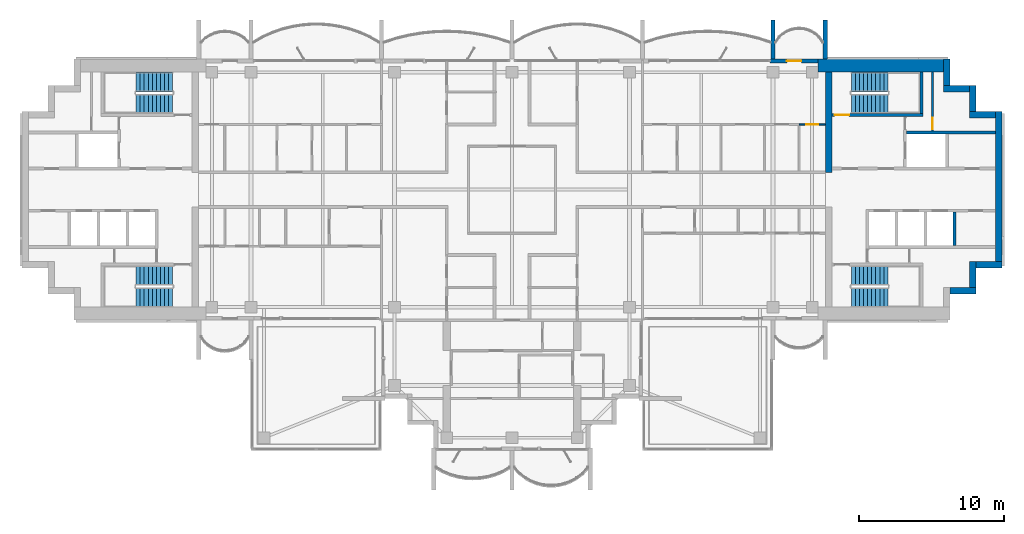
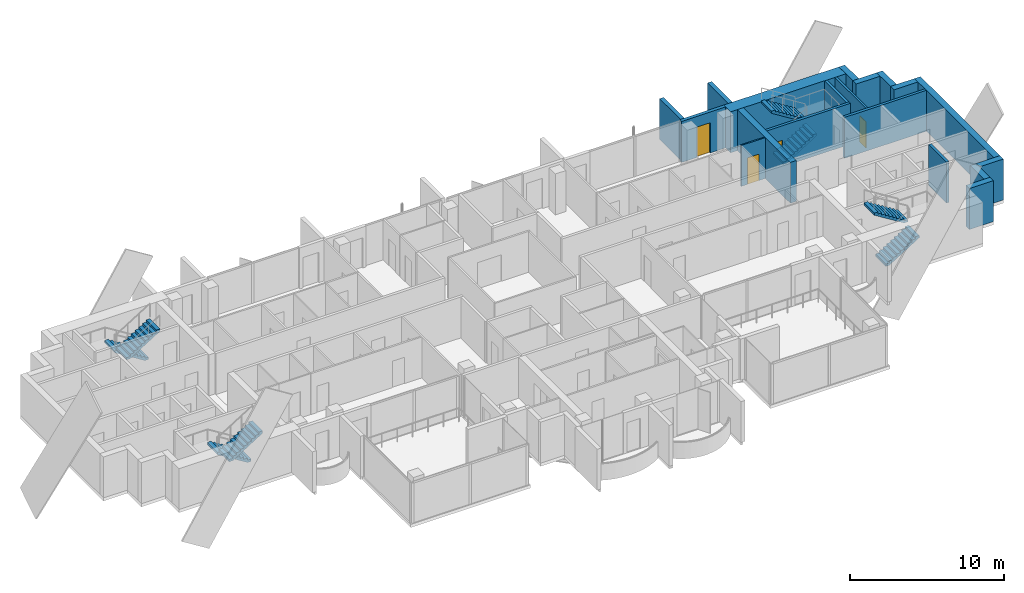
# One storey, part 12 of 16: 19 walls, 8 stair flights, 4 doors, 4 openings, 4 elements without a shape of their own.
"""IFC4 building model written with IfcOpenShell, lengths in metres."""

from ifc_helpers import new_model, si_unit, direction, frame, frame_2d, origin, place, context, subcontext, project, spatial, polyline, rectangle, outline, extrude, material, layer, layer_set, type_object, element, fill, aggregate, save


model = new_model("IFC4")

# Units and contexts
model_context = context("Model", 3, precision=1e-05, world=origin(), true_north=direction((0.0, 1.0)))
body_context = subcontext(model_context, "Body", "Model", "MODEL_VIEW")
ifc_project = project(units=[si_unit("LENGTHUNIT", "METRE"), si_unit("AREAUNIT", "SQUARE_METRE"), si_unit("VOLUMEUNIT", "CUBIC_METRE"), si_unit("PLANEANGLEUNIT", "RADIAN"), si_unit("MASSUNIT", "GRAM", prefix="KILO")], contexts=[model_context])

# Site, building, storey
site_placement = place(None, origin())
site = spatial("IfcSite", under=ifc_project, at=site_placement, CompositionType="ELEMENT")
building_placement = place(site_placement, origin())
building = spatial("IfcBuilding", under=site, at=building_placement, Name="Perihelion Cross Residences", CompositionType="ELEMENT")
storey_placement = place(building_placement, frame((0.0, 0.0, 239.5)))
storey = spatial("IfcBuildingStorey", under=building, at=storey_placement, Name="L60", CompositionType="ELEMENT", Elevation=239.5)

# Wall, opening, door
ifc_material_1 = material(Name="Concrete C30/37, bronze-clad", Category="concrete")
ifc_layer_1 = layer(ifc_material_1, 0.25)
ifc_layer_set_1 = layer_set([ifc_layer_1], Name="Bronze-clad pier wall 250")
wall_type_1 = type_object("IfcWallType", Name="Bronze-clad pier wall 250", PredefinedType="SOLIDWALL", material=ifc_layer_set_1)
wall_1_placement = place(storey_placement, frame((21.10009765625, 8.875, 0.0), z_axis=(0.0, 0.0, 1.0), x_axis=(-1.0, 0.0, 0.0)))
wall_1 = element("IfcWall", 1, at=wall_1_placement, inside=storey, type_object=wall_type_1, Name="Wall FW1 L60 east side north bay 1 pier", PredefinedType="SOLIDWALL", context=body_context, shape_type="SweptSolid", body=[
    extrude(rectangle(XDim=3.300048828125, YDim=0.25, at=frame_2d((1.64990234375, 0.0))), origin(), (0.0, 0.0, 1.0), 3.25),
])
opening_1_placement = place(wall_1_placement, frame((1.14990234375, 0.0, 0.0)))
opening_1 = element("IfcOpeningElement", 2, at=opening_1_placement, cuts=wall_1, Name="Opening L60.E01", PredefinedType="OPENING", context=body_context, shape_type="SweptSolid", body=[
    extrude(rectangle(XDim=1.0, YDim=2.39990234375, at=frame_2d((0.5, 1.199951171875))), frame((0.0, 0.135009765625, 0.0), z_axis=(0.0, -1.0, 0.0), x_axis=(1.0, 0.0, 0.0)), (0.0, 0.0, 1.0), 0.27001953125),
])
ifc_material_2 = material(Name="Bronze anodised aluminium, glazed", Category="aluminium")
door_type_1 = type_object("IfcDoorType", Name="Balcony door 1000 x 2400", OperationType="NOTDEFINED", PredefinedType="DOOR", material=ifc_material_2)
door_1_placement = place(opening_1_placement, origin())
door_1 = element("IfcDoor", 3, at=door_1_placement, inside=storey, type_object=door_type_1, Name="Door L60.E01 east side north bay 1", OperationType="SINGLE_SWING_LEFT", OverallHeight=2.39990234375, OverallWidth=1.0, PredefinedType="DOOR", context=body_context, shape_type="SweptSolid", body=[
    extrude(rectangle(XDim=1.0, YDim=2.39990234375, at=frame_2d((0.5, 1.199951171875))), frame((0.0, 0.02490234375, 0.0), z_axis=(0.0, -1.0, 0.0), x_axis=(1.0, 0.0, 0.0)), (0.0, 0.0, 1.0), 0.050048828125),
])
fill(opening_1, door_1)

# Walls
ifc_material_3 = material(Name="Concrete C60/75", Category="concrete")
ifc_layer_2 = layer(ifc_material_3, 0.449951171875)
ifc_layer_set_2 = layer_set([ifc_layer_2], Name="Core wall, inner 450")
wall_type_2 = type_object("IfcWallType", Name="Core wall, inner 450", PredefinedType="SHEAR", material=ifc_layer_set_2)
wall_2_placement = place(storey_placement, frame((21.824951171875, 1.199951171875, 0.0), z_axis=(0.0, 0.0, 1.0), x_axis=(0.0, 1.0, 0.0)))
element("IfcWall", 4, at=wall_2_placement, inside=storey, type_object=wall_type_2, Name="East core core wall, inner", PredefinedType="SHEAR", context=body_context, shape_type="SweptSolid", body=[
    extrude(rectangle(XDim=6.900146484375, YDim=0.449951171875, at=frame_2d((3.4501953125, 0.0))), origin(), (0.0, 0.0, 1.0), 3.25),
])
ifc_material_4 = material(Name="Concrete C60/75", Category="concrete")
ifc_layer_3 = layer(ifc_material_4, 0.449951171875)
ifc_layer_set_3 = layer_set([ifc_layer_3], Name="Core wall, outer 450")
wall_type_3 = type_object("IfcWallType", Name="Core wall, outer 450", PredefinedType="SHEAR", material=ifc_layer_set_3)
for number, where, z_axis, x_axis, name in (
    (5, (30.199951171875, -6.97509765625, 0.0), (0.0, 0.0, 1.0), (1.0, 0.0, 0.0), "East core core wall, outer"),
    (6, (31.77490234375, -6.75, 0.0), (0.0, 0.0, 1.0), (0.0, 1.0, 0.0), "East core core wall, outer"),
    (7, (32.0, -5.175048828125, 0.0), (0.0, 0.0, 1.0), (1.0, 0.0, 0.0), "East core core wall, outer"),
):
    element("IfcWall", number, at=place(storey_placement, frame(where, z_axis=z_axis, x_axis=x_axis)), inside=storey, type_object=wall_type_3, Name=name, PredefinedType="SHEAR", context=body_context, shape_type="SweptSolid", body=[
        extrude(rectangle(XDim=1.800048828125, YDim=0.449951171875, at=frame_2d((0.89990234375, 0.0))), origin(), (0.0, 0.0, 1.0), 3.25),
    ])
wall_3_placement = place(storey_placement, frame((33.574951171875, -4.949951171875, 0.0), z_axis=(0.0, 0.0, 1.0), x_axis=(0.0, 1.0, 0.0)))
element("IfcWall", 8, at=wall_3_placement, inside=storey, type_object=wall_type_3, Name="East core core wall, outer", PredefinedType="SHEAR", context=body_context, shape_type="SweptSolid", body=[
    extrude(rectangle(XDim=10.349853515625, YDim=0.449951171875, at=frame_2d((5.1748046875, 0.0))), origin(), (0.0, 0.0, 1.0), 3.25),
])
for number, where, z_axis, x_axis, name in (
    (9, (31.550048828125, 5.175048828125, 0.0), (0.0, 0.0, 1.0), (1.0, 0.0, 0.0), "East core core wall, outer"),
    (10, (31.77490234375, 5.39990234375, 0.0), (0.0, 0.0, 1.0), (0.0, 1.0, 0.0), "East core core wall, outer"),
    (11, (29.75, 6.97509765625, 0.0), (0.0, 0.0, 1.0), (1.0, 0.0, 0.0), "East core core wall, outer"),
    (12, (29.97509765625, 7.199951171875, 0.0), (0.0, 0.0, 1.0), (0.0, 1.0, 0.0), "East core core wall, outer"),
):
    element("IfcWall", number, at=place(storey_placement, frame(where, z_axis=z_axis, x_axis=x_axis)), inside=storey, type_object=wall_type_3, Name=name, PredefinedType="SHEAR", context=body_context, shape_type="SweptSolid", body=[
        extrude(rectangle(XDim=1.800048828125, YDim=0.449951171875, at=frame_2d((0.89990234375, 0.0))), origin(), (0.0, 0.0, 1.0), 3.25),
    ])
ifc_material_5 = material(Name="Concrete C60/75", Category="concrete")
ifc_layer_4 = layer(ifc_material_5, 0.89990234375)
ifc_layer_set_4 = layer_set([ifc_layer_4], Name="Core wall, outer 900")
wall_type_4 = type_object("IfcWallType", Name="Core wall, outer 900", PredefinedType="SHEAR", material=ifc_layer_set_4)
wall_4_placement = place(storey_placement, frame((21.10009765625, 8.550048828125, 0.0), z_axis=(0.0, 0.0, 1.0), x_axis=(1.0, 0.0, 0.0)))
element("IfcWall", 13, at=wall_4_placement, inside=storey, type_object=wall_type_4, Name="East core core wall, outer", PredefinedType="SHEAR", context=body_context, shape_type="SweptSolid", body=[
    extrude(rectangle(XDim=8.64990234375, YDim=0.89990234375, at=frame_2d((4.324951171875, 0.0))), origin(), (0.0, 0.0, 1.0), 3.25),
])
ifc_material_6 = material(Name="Precast concrete C50/60", Category="concrete")
ifc_layer_5 = layer(ifc_material_6, 0.300048828125)
ifc_layer_set_5 = layer_set([ifc_layer_5], Name="Precast concrete C50/60 blade wall 300")
wall_type_5 = type_object("IfcWallType", Name="Precast concrete C50/60 blade wall 300", PredefinedType="SOLIDWALL", material=ifc_layer_set_5)
for number, where, z_axis, x_axis, name in (
    (14, (18.0, 9.0, 0.0), (0.0, 0.0, 1.0), (0.0, 1.0, 0.0), "Wall BL1 L60 no. 11"),
    (15, (21.60009765625, 9.0, 0.0), (0.0, 0.0, 1.0), (0.0, 1.0, 0.0), "Wall BL1 L60 no. 13"),
):
    element("IfcWall", number, at=place(storey_placement, frame(where, z_axis=z_axis, x_axis=x_axis)), inside=storey, type_object=wall_type_5, Name=name, PredefinedType="SOLIDWALL", context=body_context, shape_type="SweptSolid", body=[
        extrude(rectangle(XDim=2.699951171875, YDim=0.300048828125, at=frame_2d((1.35009765625, 0.0))), origin(), (0.0, 0.0, 1.0), 3.25),
    ])

# Wall, opening, door
ifc_material_7 = material(Name="Fire-rated board on steel stud", Category="steel")
ifc_layer_6 = layer(ifc_material_7, 0.14990234375)
ifc_layer_set_6 = layer_set([ifc_layer_6], Name="Riser wall 150")
wall_type_6 = type_object("IfcWallType", Name="Riser wall 150", PredefinedType="PARTITIONING", material=ifc_layer_set_6)
wall_5_placement = place(storey_placement, frame((29.0, 4.050048828125, 0.0), z_axis=(0.0, 0.0, 1.0), x_axis=(0.0, 1.0, 0.0)))
wall_5 = element("IfcWall", 16, at=wall_5_placement, inside=storey, type_object=wall_type_6, Name="East core riser wall", PredefinedType="PARTITIONING", context=body_context, shape_type="SweptSolid", body=[
    extrude(rectangle(XDim=4.050048828125, YDim=0.14990234375, at=frame_2d((2.02490234375, 0.0))), origin(), (0.0, 0.0, 1.0), 3.25),
])
opening_2_placement = place(wall_5_placement, frame((0.10009765625, 0.0, 0.0)))
opening_2 = element("IfcOpeningElement", 17, at=opening_2_placement, cuts=wall_5, Name="Opening L60.C12", PredefinedType="OPENING", context=body_context, shape_type="SweptSolid", body=[
    extrude(rectangle(XDim=0.800048828125, YDim=2.10009765625, at=frame_2d((0.39990234375, 1.050048828125))), frame((0.0, 0.0849609375, 0.0), z_axis=(0.0, -1.0, 0.0), x_axis=(1.0, 0.0, 0.0)), (0.0, 0.0, 1.0), 0.169921875),
])
ifc_material_8 = material(Name="Steel, powder coated", Category="steel")
door_type_2 = type_object("IfcDoorType", Name="Riser door 800", OperationType="SINGLE_SWING_LEFT", PredefinedType="DOOR", material=ifc_material_8)
door_2_placement = place(opening_2_placement, origin())
door_2 = element("IfcDoor", 18, at=door_2_placement, inside=storey, type_object=door_type_2, Name="East core riser door", OperationType="SINGLE_SWING_LEFT", OverallHeight=2.10009765625, OverallWidth=0.800048828125, PredefinedType="DOOR", context=body_context, shape_type="SweptSolid", body=[
    extrude(rectangle(XDim=0.800048828125, YDim=2.10009765625, at=frame_2d((0.39990234375, 1.050048828125))), frame((0.0, 0.02490234375, 0.0), z_axis=(0.0, -1.0, 0.0), x_axis=(1.0, 0.0, 0.0)), (0.0, 0.0, 1.0), 0.050048828125),
])
fill(opening_2, door_2)

# Walls
ifc_material_9 = material(Name="Concrete C50/60", Category="concrete")
ifc_layer_7 = layer(ifc_material_9, 0.199951171875)
ifc_layer_set_7 = layer_set([ifc_layer_7], Name="Shaft wall 200")
wall_type_7 = type_object("IfcWallType", Name="Shaft wall 200", PredefinedType="SOLIDWALL", material=ifc_layer_set_7)
wall_6_placement = place(storey_placement, frame((27.199951171875, 3.949951171875, 0.0), z_axis=(0.0, 0.0, 1.0), x_axis=(1.0, 0.0, 0.0)))
element("IfcWall", 19, at=wall_6_placement, inside=storey, type_object=wall_type_7, Name="East core shaft wall", PredefinedType="SOLIDWALL", context=body_context, shape_type="SweptSolid", body=[
    extrude(rectangle(XDim=6.150146484375, YDim=0.199951171875, at=frame_2d((3.0751953125, 0.0))), origin(), (0.0, 0.0, 1.0), 3.25),
])
wall_7_placement = place(storey_placement, frame((30.5, -3.85009765625, 0.0), z_axis=(0.0, 0.0, 1.0), x_axis=(0.0, 1.0, 0.0)))
element("IfcWall", 20, at=wall_7_placement, inside=storey, type_object=wall_type_7, Name="East core shaft wall", PredefinedType="SOLIDWALL", context=body_context, shape_type="SweptSolid", body=[
    extrude(rectangle(XDim=2.300048828125, YDim=0.199951171875, at=frame_2d((1.14990234375, 0.0))), origin(), (0.0, 0.0, 1.0), 3.25),
])

# Wall, opening, door
ifc_material_10 = material(Name="Concrete C50/60", Category="concrete")
ifc_layer_8 = layer(ifc_material_10, 0.199951171875)
ifc_layer_set_8 = layer_set([ifc_layer_8], Name="Stair wall 200")
wall_type_8 = type_object("IfcWallType", Name="Stair wall 200", PredefinedType="SOLIDWALL", material=ifc_layer_set_8)
wall_8_placement = place(storey_placement, frame((22.050048828125, 5.14990234375, 0.0), z_axis=(0.0, 0.0, 1.0), x_axis=(1.0, 0.0, 0.0)))
wall_8 = element("IfcWall", 21, at=wall_8_placement, inside=storey, type_object=wall_type_8, Name="East core stair wall", PredefinedType="SOLIDWALL", context=body_context, shape_type="SweptSolid", body=[
    extrude(rectangle(XDim=6.300048828125, YDim=0.199951171875, at=frame_2d((3.14990234375, 0.0))), origin(), (0.0, 0.0, 1.0), 3.25),
])
opening_3_placement = place(wall_8_placement, frame((0.199951171875, 0.0, 0.0)))
opening_3 = element("IfcOpeningElement", 22, at=opening_3_placement, cuts=wall_8, Name="Opening L60.C06", PredefinedType="OPENING", context=body_context, shape_type="SweptSolid", body=[
    extrude(rectangle(XDim=1.0, YDim=2.10009765625, at=frame_2d((0.5, 1.050048828125))), frame((0.0, 0.10986328125, 0.0), z_axis=(0.0, -1.0, 0.0), x_axis=(1.0, 0.0, 0.0)), (0.0, 0.0, 1.0), 0.219970703125),
])
ifc_material_11 = material(Name="Steel, powder coated", Category="steel")
door_type_3 = type_object("IfcDoorType", Name="Stair door 1000", OperationType="SINGLE_SWING_LEFT", PredefinedType="DOOR", material=ifc_material_11)
door_3_placement = place(opening_3_placement, origin())
door_3 = element("IfcDoor", 23, at=door_3_placement, inside=storey, type_object=door_type_3, Name="East core stair door", OperationType="SINGLE_SWING_LEFT", OverallHeight=2.10009765625, OverallWidth=1.0, PredefinedType="DOOR", context=body_context, shape_type="SweptSolid", body=[
    extrude(rectangle(XDim=1.0, YDim=2.10009765625, at=frame_2d((0.5, 1.050048828125))), frame((0.0, 0.02490234375, 0.0), z_axis=(0.0, -1.0, 0.0), x_axis=(1.0, 0.0, 0.0)), (0.0, 0.0, 1.0), 0.050048828125),
])
fill(opening_3, door_3)

# Wall
wall_9_placement = place(storey_placement, frame((28.25, 5.25, 0.0), z_axis=(0.0, 0.0, 1.0), x_axis=(0.0, 1.0, 0.0)))
element("IfcWall", 24, at=wall_9_placement, inside=storey, type_object=wall_type_8, Name="East core stair wall", PredefinedType="SOLIDWALL", context=body_context, shape_type="SweptSolid", body=[
    extrude(rectangle(XDim=2.85009765625, YDim=0.199951171875, at=frame_2d((1.425048828125, 0.0))), origin(), (0.0, 0.0, 1.0), 3.25),
])

# Wall, opening, door
ifc_material_12 = material(Name="Plasterboard partition")
ifc_layer_9 = layer(ifc_material_12, 0.10009765625)
ifc_layer_set_9 = layer_set([ifc_layer_9], Name="Wet room wall 100")
wall_type_9 = type_object("IfcWallType", Name="Wet room wall 100", PredefinedType="PARTITIONING", material=ifc_layer_set_9)
wall_10_placement = place(storey_placement, frame((19.800048828125, 4.5, 0.0), z_axis=(0.0, 0.0, 1.0), x_axis=(1.0, 0.0, 0.0)))
wall_10 = element("IfcWall", 25, at=wall_10_placement, inside=storey, type_object=wall_type_9, Name="Partition L60 W030", PredefinedType="PARTITIONING", context=body_context, shape_type="SweptSolid", body=[
    extrude(rectangle(XDim=1.800048828125, YDim=0.10009765625, at=frame_2d((0.89990234375, 0.0))), origin(), (0.0, 0.0, 1.0), 3.25),
])
opening_4_placement = place(wall_10_placement, frame((0.47509765625, 0.0, 0.0)))
opening_4 = element("IfcOpeningElement", 26, at=opening_4_placement, cuts=wall_10, Name="Opening L60.A05", PredefinedType="OPENING", context=body_context, shape_type="SweptSolid", body=[
    extrude(rectangle(XDim=0.85009765625, YDim=2.10009765625, at=frame_2d((0.425048828125, 1.050048828125))), frame((0.0, 0.06005859375, 0.0), z_axis=(0.0, -1.0, 0.0), x_axis=(1.0, 0.0, 0.0)), (0.0, 0.0, 1.0), 0.1201171875),
])
ifc_material_13 = material(Name="Timber door leaf", Category="wood")
door_type_4 = type_object("IfcDoorType", Name="Interior bathroom door 850 x 2100", OperationType="SINGLE_SWING_LEFT", PredefinedType="DOOR", material=ifc_material_13)
door_4_placement = place(opening_4_placement, origin())
door_4 = element("IfcDoor", 27, at=door_4_placement, inside=storey, type_object=door_type_4, Name="Door L60.A05", OperationType="SINGLE_SWING_LEFT", OverallHeight=2.10009765625, OverallWidth=0.85009765625, PredefinedType="DOOR", context=body_context, shape_type="SweptSolid", body=[
    extrude(rectangle(XDim=0.85009765625, YDim=2.10009765625, at=frame_2d((0.425048828125, 1.050048828125))), frame((0.0, 0.02490234375, 0.0), z_axis=(0.0, -1.0, 0.0), x_axis=(1.0, 0.0, 0.0)), (0.0, 0.0, 1.0), 0.050048828125),
])
fill(opening_4, door_4)

# Stair, stair flights
ifc_material_14 = material(Name="Concrete C40/50", Category="concrete")
stair_type = type_object("IfcStairType", Name="Exit stair, half-turn", PredefinedType="HALF_TURN_STAIR", material=ifc_material_14)
stair_1_placement = place(storey_placement, origin())
stair_1 = element("IfcStair", 28, at=stair_1_placement, inside=storey, type_object=stair_type, Name="L60 East core exit stair 1", PredefinedType="HALF_TURN_STAIR")
ifc_material_15 = material(Name="Concrete C40/50", Category="concrete")
stair_flight_type = type_object("IfcStairFlightType", Name="Exit stair flight", PredefinedType="STRAIGHT", material=ifc_material_15)
stair_flight_1_placement = place(storey_placement, frame((23.39990234375, 5.925048828125, 0.0), z_axis=(0.0, 0.0, 1.0), x_axis=(1.0, 0.0, 0.0)))
stair_flight_1 = element("IfcStairFlight", 29, at=stair_flight_1_placement, type_object=stair_flight_type, Name="ST-E1 flight 1", NumberOfRisers=10, NumberOfTreads=9, PredefinedType="STRAIGHT", RiserHeight=0.175, TreadLength=0.28, context=body_context, shape_type="SweptSolid", body=[
    extrude(outline(polyline([(0.0, 0.0), (0.0, 0.175048828125), (0.280029296875, 0.175048828125), (0.280029296875, 0.35009765625), (0.56005859375, 0.35009765625), (0.56005859375, 0.52490234375), (0.840087890625, 0.52490234375), (0.840087890625, 0.699951171875), (1.1201171875, 0.699951171875), (1.1201171875, 0.875), (1.39990234375, 0.875), (1.39990234375, 1.050048828125), (1.679931640625, 1.050048828125), (1.679931640625, 1.22509765625), (1.9599609375, 1.22509765625), (1.9599609375, 1.39990234375), (2.239990234375, 1.39990234375), (2.239990234375, 1.574951171875), (2.52001953125, 1.574951171875), (2.52001953125, 1.75), (2.52001953125, 1.398193359375), (0.28271484375, 0.0), (0.0, 0.0)])), frame((0.0, 0.675048828125, 0.0), z_axis=(0.0, -1.0, 0.0), x_axis=(1.0, 0.0, 0.0)), (0.0, 0.0, 1.0), 1.35009765625),
])
stair_flight_2_placement = place(storey_placement, frame((25.919921875, 7.425048828125, 1.75), z_axis=(0.0, 0.0, 1.0), x_axis=(-1.0, 0.0, 0.0)))
stair_flight_2 = element("IfcStairFlight", 30, at=stair_flight_2_placement, type_object=stair_flight_type, Name="ST-E1 flight 2", NumberOfRisers=10, NumberOfTreads=9, PredefinedType="STRAIGHT", RiserHeight=0.175, TreadLength=0.28, context=body_context, shape_type="SweptSolid", body=[
    extrude(outline(polyline([(0.0, 0.0), (0.0, 0.175048828125), (0.280029296875, 0.175048828125), (0.280029296875, 0.35009765625), (0.56005859375, 0.35009765625), (0.56005859375, 0.52490234375), (0.840087890625, 0.52490234375), (0.840087890625, 0.699951171875), (1.1201171875, 0.699951171875), (1.1201171875, 0.875), (1.39990234375, 0.875), (1.39990234375, 1.050048828125), (1.679931640625, 1.050048828125), (1.679931640625, 1.22509765625), (1.9599609375, 1.22509765625), (1.9599609375, 1.39990234375), (2.239990234375, 1.39990234375), (2.239990234375, 1.574951171875), (2.52001953125, 1.574951171875), (2.52001953125, 1.75), (2.52001953125, 1.398193359375), (0.28271484375, 0.0), (0.0, 0.0)])), frame((0.0, 0.675048828125, 0.0), z_axis=(0.0, -1.0, 0.0), x_axis=(1.0, 0.0, 0.0)), (0.0, 0.0, 1.0), 1.35009765625),
])
aggregate(stair_1, [stair_flight_1, stair_flight_2])

stair_2_placement = place(storey_placement, origin())
stair_2 = element("IfcStair", 31, at=stair_2_placement, inside=storey, type_object=stair_type, Name="L60 East core exit stair 2", PredefinedType="HALF_TURN_STAIR")
stair_flight_3_placement = place(storey_placement, frame((23.39990234375, -7.425048828125, 0.0), z_axis=(0.0, 0.0, 1.0), x_axis=(1.0, 0.0, 0.0)))
stair_flight_3 = element("IfcStairFlight", 32, at=stair_flight_3_placement, type_object=stair_flight_type, Name="ST-E2 flight 1", NumberOfRisers=10, NumberOfTreads=9, PredefinedType="STRAIGHT", RiserHeight=0.175, TreadLength=0.28, context=body_context, shape_type="SweptSolid", body=[
    extrude(outline(polyline([(0.0, 0.0), (0.0, 0.175048828125), (0.280029296875, 0.175048828125), (0.280029296875, 0.35009765625), (0.56005859375, 0.35009765625), (0.56005859375, 0.52490234375), (0.840087890625, 0.52490234375), (0.840087890625, 0.699951171875), (1.1201171875, 0.699951171875), (1.1201171875, 0.875), (1.39990234375, 0.875), (1.39990234375, 1.050048828125), (1.679931640625, 1.050048828125), (1.679931640625, 1.22509765625), (1.9599609375, 1.22509765625), (1.9599609375, 1.39990234375), (2.239990234375, 1.39990234375), (2.239990234375, 1.574951171875), (2.52001953125, 1.574951171875), (2.52001953125, 1.75), (2.52001953125, 1.398193359375), (0.28271484375, 0.0), (0.0, 0.0)])), frame((0.0, 0.675048828125, 0.0), z_axis=(0.0, -1.0, 0.0), x_axis=(1.0, 0.0, 0.0)), (0.0, 0.0, 1.0), 1.35009765625),
])
stair_flight_4_placement = place(storey_placement, frame((25.919921875, -5.925048828125, 1.75), z_axis=(0.0, 0.0, 1.0), x_axis=(-1.0, 0.0, 0.0)))
stair_flight_4 = element("IfcStairFlight", 33, at=stair_flight_4_placement, type_object=stair_flight_type, Name="ST-E2 flight 2", NumberOfRisers=10, NumberOfTreads=9, PredefinedType="STRAIGHT", RiserHeight=0.175, TreadLength=0.28, context=body_context, shape_type="SweptSolid", body=[
    extrude(outline(polyline([(0.0, 0.0), (0.0, 0.175048828125), (0.280029296875, 0.175048828125), (0.280029296875, 0.35009765625), (0.56005859375, 0.35009765625), (0.56005859375, 0.52490234375), (0.840087890625, 0.52490234375), (0.840087890625, 0.699951171875), (1.1201171875, 0.699951171875), (1.1201171875, 0.875), (1.39990234375, 0.875), (1.39990234375, 1.050048828125), (1.679931640625, 1.050048828125), (1.679931640625, 1.22509765625), (1.9599609375, 1.22509765625), (1.9599609375, 1.39990234375), (2.239990234375, 1.39990234375), (2.239990234375, 1.574951171875), (2.52001953125, 1.574951171875), (2.52001953125, 1.75), (2.52001953125, 1.398193359375), (0.28271484375, 0.0), (0.0, 0.0)])), frame((0.0, 0.675048828125, 0.0), z_axis=(0.0, -1.0, 0.0), x_axis=(1.0, 0.0, 0.0)), (0.0, 0.0, 1.0), 1.35009765625),
])
aggregate(stair_2, [stair_flight_3, stair_flight_4])

stair_3_placement = place(storey_placement, origin())
stair_3 = element("IfcStair", 34, at=stair_3_placement, inside=storey, type_object=stair_type, Name="L60 West core exit stair 1", PredefinedType="HALF_TURN_STAIR")
stair_flight_5_placement = place(storey_placement, frame((-23.39990234375, 7.425048828125, 0.0), z_axis=(0.0, 0.0, 1.0), x_axis=(-1.0, 0.0, 0.0)))
stair_flight_5 = element("IfcStairFlight", 35, at=stair_flight_5_placement, type_object=stair_flight_type, Name="ST-W1 flight 1", NumberOfRisers=10, NumberOfTreads=9, PredefinedType="STRAIGHT", RiserHeight=0.175, TreadLength=0.28, context=body_context, shape_type="SweptSolid", body=[
    extrude(outline(polyline([(0.0, 0.0), (0.0, 0.175048828125), (0.280029296875, 0.175048828125), (0.280029296875, 0.35009765625), (0.56005859375, 0.35009765625), (0.56005859375, 0.52490234375), (0.840087890625, 0.52490234375), (0.840087890625, 0.699951171875), (1.1201171875, 0.699951171875), (1.1201171875, 0.875), (1.39990234375, 0.875), (1.39990234375, 1.050048828125), (1.679931640625, 1.050048828125), (1.679931640625, 1.22509765625), (1.9599609375, 1.22509765625), (1.9599609375, 1.39990234375), (2.239990234375, 1.39990234375), (2.239990234375, 1.574951171875), (2.52001953125, 1.574951171875), (2.52001953125, 1.75), (2.52001953125, 1.398193359375), (0.28271484375, 0.0), (0.0, 0.0)])), frame((0.0, 0.675048828125, 0.0), z_axis=(0.0, -1.0, 0.0), x_axis=(1.0, 0.0, 0.0)), (0.0, 0.0, 1.0), 1.35009765625),
])
stair_flight_6_placement = place(storey_placement, frame((-25.919921875, 5.925048828125, 1.75), z_axis=(0.0, 0.0, 1.0), x_axis=(1.0, 0.0, 0.0)))
stair_flight_6 = element("IfcStairFlight", 36, at=stair_flight_6_placement, type_object=stair_flight_type, Name="ST-W1 flight 2", NumberOfRisers=10, NumberOfTreads=9, PredefinedType="STRAIGHT", RiserHeight=0.175, TreadLength=0.28, context=body_context, shape_type="SweptSolid", body=[
    extrude(outline(polyline([(0.0, 0.0), (0.0, 0.175048828125), (0.280029296875, 0.175048828125), (0.280029296875, 0.35009765625), (0.56005859375, 0.35009765625), (0.56005859375, 0.52490234375), (0.840087890625, 0.52490234375), (0.840087890625, 0.699951171875), (1.1201171875, 0.699951171875), (1.1201171875, 0.875), (1.39990234375, 0.875), (1.39990234375, 1.050048828125), (1.679931640625, 1.050048828125), (1.679931640625, 1.22509765625), (1.9599609375, 1.22509765625), (1.9599609375, 1.39990234375), (2.239990234375, 1.39990234375), (2.239990234375, 1.574951171875), (2.52001953125, 1.574951171875), (2.52001953125, 1.75), (2.52001953125, 1.398193359375), (0.28271484375, 0.0), (0.0, 0.0)])), frame((0.0, 0.675048828125, 0.0), z_axis=(0.0, -1.0, 0.0), x_axis=(1.0, 0.0, 0.0)), (0.0, 0.0, 1.0), 1.35009765625),
])
aggregate(stair_3, [stair_flight_5, stair_flight_6])

stair_4_placement = place(storey_placement, origin())
stair_4 = element("IfcStair", 37, at=stair_4_placement, inside=storey, type_object=stair_type, Name="L60 West core exit stair 2", PredefinedType="HALF_TURN_STAIR")
stair_flight_7_placement = place(storey_placement, frame((-23.39990234375, -5.925048828125, 0.0), z_axis=(0.0, 0.0, 1.0), x_axis=(-1.0, 0.0, 0.0)))
stair_flight_7 = element("IfcStairFlight", 38, at=stair_flight_7_placement, type_object=stair_flight_type, Name="ST-W2 flight 1", NumberOfRisers=10, NumberOfTreads=9, PredefinedType="STRAIGHT", RiserHeight=0.175, TreadLength=0.28, context=body_context, shape_type="SweptSolid", body=[
    extrude(outline(polyline([(0.0, 0.0), (0.0, 0.175048828125), (0.280029296875, 0.175048828125), (0.280029296875, 0.35009765625), (0.56005859375, 0.35009765625), (0.56005859375, 0.52490234375), (0.840087890625, 0.52490234375), (0.840087890625, 0.699951171875), (1.1201171875, 0.699951171875), (1.1201171875, 0.875), (1.39990234375, 0.875), (1.39990234375, 1.050048828125), (1.679931640625, 1.050048828125), (1.679931640625, 1.22509765625), (1.9599609375, 1.22509765625), (1.9599609375, 1.39990234375), (2.239990234375, 1.39990234375), (2.239990234375, 1.574951171875), (2.52001953125, 1.574951171875), (2.52001953125, 1.75), (2.52001953125, 1.398193359375), (0.28271484375, 0.0), (0.0, 0.0)])), frame((0.0, 0.675048828125, 0.0), z_axis=(0.0, -1.0, 0.0), x_axis=(1.0, 0.0, 0.0)), (0.0, 0.0, 1.0), 1.35009765625),
])
stair_flight_8_placement = place(storey_placement, frame((-25.919921875, -7.425048828125, 1.75), z_axis=(0.0, 0.0, 1.0), x_axis=(1.0, 0.0, 0.0)))
stair_flight_8 = element("IfcStairFlight", 39, at=stair_flight_8_placement, type_object=stair_flight_type, Name="ST-W2 flight 2", NumberOfRisers=10, NumberOfTreads=9, PredefinedType="STRAIGHT", RiserHeight=0.175, TreadLength=0.28, context=body_context, shape_type="SweptSolid", body=[
    extrude(outline(polyline([(0.0, 0.0), (0.0, 0.175048828125), (0.280029296875, 0.175048828125), (0.280029296875, 0.35009765625), (0.56005859375, 0.35009765625), (0.56005859375, 0.52490234375), (0.840087890625, 0.52490234375), (0.840087890625, 0.699951171875), (1.1201171875, 0.699951171875), (1.1201171875, 0.875), (1.39990234375, 0.875), (1.39990234375, 1.050048828125), (1.679931640625, 1.050048828125), (1.679931640625, 1.22509765625), (1.9599609375, 1.22509765625), (1.9599609375, 1.39990234375), (2.239990234375, 1.39990234375), (2.239990234375, 1.574951171875), (2.52001953125, 1.574951171875), (2.52001953125, 1.75), (2.52001953125, 1.398193359375), (0.28271484375, 0.0), (0.0, 0.0)])), frame((0.0, 0.675048828125, 0.0), z_axis=(0.0, -1.0, 0.0), x_axis=(1.0, 0.0, 0.0)), (0.0, 0.0, 1.0), 1.35009765625),
])
aggregate(stair_4, [stair_flight_7, stair_flight_8])

save(model, "model.ifc")
